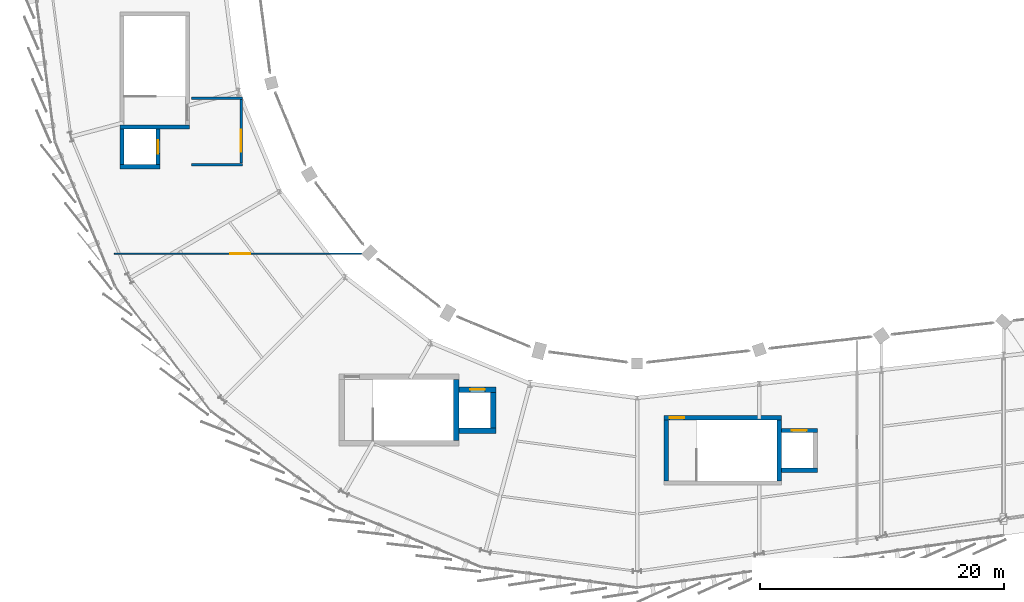
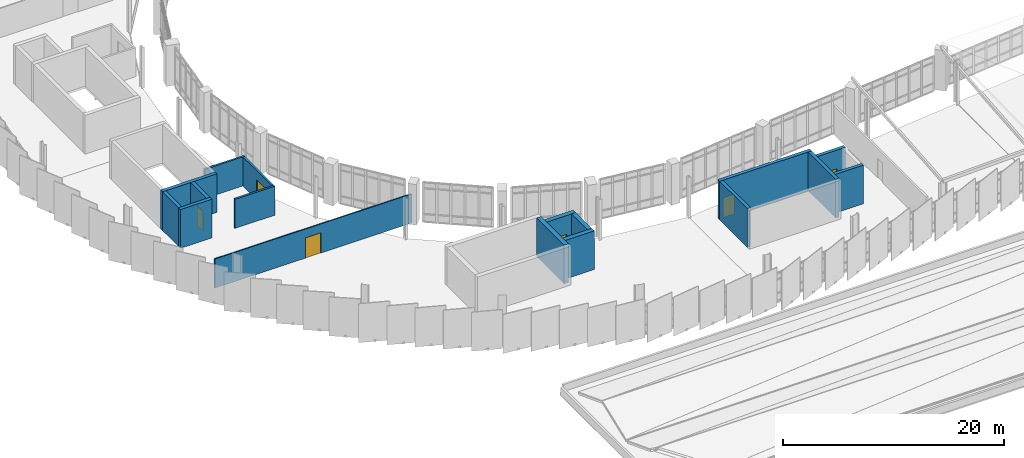
# One storey, part 61 of 67: 17 walls, 6 doors, 6 openings.
"""IFC4 building model written with IfcOpenShell, lengths in metres."""

import ifcopenshell
import ifcopenshell.guid

model = None  # the IFC model being written
_history = None  # IfcOwnerHistory: only IFC2X3 demands one
_inside = {}  # id of a spatial element -> (the spatial element, [elements in it])
_under = {}  # id of a project, library or spatial element -> (it, [spatial elements below it])
_declared = {}  # id of a project -> (the project, [libraries it declares])
_typed = {}  # id of a type object -> (the type object, [elements of that type])
_made_of = {}  # id of a material, layer set ... -> (it, [elements and type objects made of it])


def new_model(schema):
    """Start an empty IFC model of exactly this schema.

    Asked for "IFC4X3", IfcOpenShell would pick the latest addendum, in which some entities
    have other attributes; the version numbers below select the first issue.
    IFC2X3 requires an IfcOwnerHistory on every rooted entity: one is made here for all.
    """
    global model, _history
    if schema == "IFC4X3":
        model = ifcopenshell.file(schema_version=(4, 3, 0, 0))
    else:
        model = ifcopenshell.file(schema=schema)
    _inside.clear()
    _under.clear()
    _declared.clear()
    _typed.clear()
    _made_of.clear()
    _history = None
    if model.schema == "IFC2X3":
        org = make("IfcOrganization", Name="unknown")
        user = make(
            "IfcPersonAndOrganization",
            ThePerson=make("IfcPerson", FamilyName="unknown"),
            TheOrganization=org,
        )
        app = make(
            "IfcApplication",
            ApplicationDeveloper=org,
            Version="unknown",
            ApplicationFullName="unknown",
            ApplicationIdentifier="unknown",
        )
        _history = make(
            "IfcOwnerHistory",
            OwningUser=user,
            OwningApplication=app,
            ChangeAction="ADDED",
            CreationDate=0,
        )
    return model


def make(cls, **values):
    """One entity of the class cls with the attributes given. An attribute that is None is left unset."""
    return model.create_entity(
        cls, **{name: value for name, value in values.items() if value is not None}
    )


def rooted(cls, **values):
    """An entity with a GlobalId (a new one), such as an element, a storey or a relation."""
    return make(cls, GlobalId=ifcopenshell.guid.new(), OwnerHistory=_history, **values)


def si_unit(unit_type, name, prefix=None):
    """IfcSIUnit, for example si_unit("LENGTHUNIT", "METRE", prefix="MILLI")."""
    return make("IfcSIUnit", UnitType=unit_type, Prefix=prefix, Name=name)


def assignment(units):
    """IfcUnitAssignment: the units of a project."""
    return None if units is None else make("IfcUnitAssignment", Units=units)


def point(xyz):
    """IfcCartesianPoint."""
    return None if xyz is None else make("IfcCartesianPoint", Coordinates=xyz)


def direction(xyz):
    """IfcDirection."""
    return None if xyz is None else make("IfcDirection", DirectionRatios=xyz)


def frame(location, z_axis=None, x_axis=None):
    """IfcAxis2Placement3D, a coordinate frame: its origin and axes. An axis left out is left unset."""
    return make(
        "IfcAxis2Placement3D",
        Location=point(location),
        Axis=direction(z_axis),
        RefDirection=direction(x_axis),
    )


def frame_2d(location, x_axis=None):
    """IfcAxis2Placement2D, a coordinate frame in the plane: its origin and x axis."""
    return make(
        "IfcAxis2Placement2D", Location=point(location), RefDirection=direction(x_axis)
    )


def origin():
    """The frame at (0, 0, 0) with its axes left unset."""
    return frame((0.0, 0.0, 0.0))


def place(relative_to, where):
    """IfcLocalPlacement: puts the frame where relative to a parent placement (None: the world)."""
    return make(
        "IfcLocalPlacement", PlacementRelTo=relative_to, RelativePlacement=where
    )


def context(
    kind, dimensions, precision=None, world=None, true_north=None, identifier=None
):
    """IfcGeometricRepresentationContext, for example the 3D "Model" context."""
    return make(
        "IfcGeometricRepresentationContext",
        ContextIdentifier=identifier,
        ContextType=kind,
        CoordinateSpaceDimension=dimensions,
        Precision=precision,
        WorldCoordinateSystem=world,
        TrueNorth=true_north,
    )


def subcontext(parent, identifier, kind, view, scale=None):
    """IfcGeometricRepresentationSubContext, for example "Body" below "Model"."""
    return make(
        "IfcGeometricRepresentationSubContext",
        ContextIdentifier=identifier,
        ContextType=kind,
        ParentContext=parent,
        TargetScale=scale,
        TargetView=view,
    )


def project(units=None, contexts=None):
    """IfcProject with its units and contexts."""
    return rooted(
        "IfcProject",
        Name="project",
        RepresentationContexts=contexts,
        UnitsInContext=assignment(units),
    )


def spatial(cls, under=None, at=None, **own):
    """A site, building, storey or space (cls), placed at a placement, below another one or the project."""
    s = rooted(cls, ObjectPlacement=at, **own)
    if under is not None:
        _under.setdefault(under.id(), (under, []))[1].append(s)
    return s


def profile(cls, at=None, kind="AREA", **sizes):
    """A parametric profile (cls). Its sizes go by their IFC names, for example OverallWidth=200.0."""
    return make(cls, ProfileType=kind, Position=at, **sizes)


def rectangle(**sizes):
    """IfcRectangleProfileDef."""
    return profile("IfcRectangleProfileDef", **sizes)


def extrude(swept, where, along, depth):
    """IfcExtrudedAreaSolid: the profile swept, set in the frame where, extruded along a direction by depth."""
    return make(
        "IfcExtrudedAreaSolid",
        SweptArea=swept,
        Position=where,
        ExtrudedDirection=direction(along),
        Depth=depth,
    )


def shape(context_of_items, identifier, shape_type, items):
    """IfcShapeRepresentation: the items that make up one representation, for example the "Body"."""
    return make(
        "IfcShapeRepresentation",
        ContextOfItems=context_of_items,
        RepresentationIdentifier=identifier,
        RepresentationType=shape_type,
        Items=items,
    )


def material(Name=None, Category=None):
    """IfcMaterial."""
    return make("IfcMaterial", Name=Name, Category=Category)


def layer(
    of_material, thickness, ventilated=None, Name=None, Category=None, Priority=None
):
    """IfcMaterialLayer: one layer of a wall or slab, of a material (None: an air gap)."""
    return make(
        "IfcMaterialLayer",
        Material=of_material,
        LayerThickness=thickness,
        IsVentilated=ventilated,
        Name=Name,
        Category=Category,
        Priority=Priority,
    )


def layer_set(layers, Name=None):
    """IfcMaterialLayerSet."""
    return make("IfcMaterialLayerSet", MaterialLayers=layers, LayerSetName=Name)


def made_of(thing, what):
    """Note that an element or type object is made of a material, layer set ...; save() writes the relation."""
    if what is not None:
        _made_of.setdefault(what.id(), (what, []))[1].append(thing)
    return thing


def type_object(cls, material=None, **own):
    """A type object (cls), such as IfcWallType, which elements share."""
    return made_of(rooted(cls, **own), material)


def element(
    cls,
    number,
    at=None,
    inside=None,
    cuts=None,
    type_object=None,
    material=None,
    context=None,
    identifier="Body",
    shape_type=None,
    held_by="IfcProductDefinitionShape",
    body=None,
    shapes=None,
    **own,
):
    """One element of the class cls, such as IfcWall. Its Tag is "e" and its number.

    at: its placement. inside: the storey or other place that contains it. cuts: it is an
    opening in that element (IfcRelVoidsElement). A single representation is given by context,
    identifier, shape_type and body (its items); several are given by shapes. held_by: the class
    of the entity that holds the representations. save() writes the other relations.
    """
    e = rooted(cls, Tag="e%d" % number, ObjectPlacement=at, **own)
    if body is not None:
        shapes = [shape(context, identifier, shape_type, body)]
    if shapes is not None:
        e.Representation = make(held_by, Representations=shapes)
    if inside is not None:
        _inside.setdefault(inside.id(), (inside, []))[1].append(e)
    if cuts is not None:
        rooted(
            "IfcRelVoidsElement", RelatingBuildingElement=cuts, RelatedOpeningElement=e
        )
    if type_object is not None:
        _typed.setdefault(type_object.id(), (type_object, []))[1].append(e)
    return made_of(e, material)


def fill(opening, filler):
    """IfcRelFillsElement: the door or window that sits in an opening."""
    return rooted(
        "IfcRelFillsElement",
        RelatingOpeningElement=opening,
        RelatedBuildingElement=filler,
    )


def aggregate(whole, parts):
    """IfcRelAggregates: a whole, such as a stair, and the parts it consists of."""
    return rooted("IfcRelAggregates", RelatingObject=whole, RelatedObjects=parts)


def save(model, path):
    """Write the relations noted so far, then the file.

    IfcRelAggregates (storeys below a building ...), IfcRelContainedInSpatialStructure (elements
    in a storey), IfcRelDefinesByType, IfcRelAssociatesMaterial and IfcRelDeclares: one each for
    every whole, place, type object, material and project.
    """
    for whole, parts in _under.values():
        aggregate(whole, parts)
    for where, things in _inside.values():
        rooted(
            "IfcRelContainedInSpatialStructure",
            RelatedElements=things,
            RelatingStructure=where,
        )
    for kind, things in _typed.values():
        rooted("IfcRelDefinesByType", RelatedObjects=things, RelatingType=kind)
    for what, things in _made_of.values():
        rooted("IfcRelAssociatesMaterial", RelatedObjects=things, RelatingMaterial=what)
    for by, libraries in _declared.values():
        rooted("IfcRelDeclares", RelatingContext=by, RelatedDefinitions=libraries)
    model.write(path)


model = new_model("IFC4")

# Units and contexts
model_context = context("Model", 3, precision=1e-05, world=origin(), true_north=direction((0.0, 1.0)))
body_context = subcontext(model_context, "Body", "Model", "MODEL_VIEW")
ifc_project = project(units=[si_unit("LENGTHUNIT", "METRE"), si_unit("AREAUNIT", "SQUARE_METRE"), si_unit("VOLUMEUNIT", "CUBIC_METRE"), si_unit("PLANEANGLEUNIT", "RADIAN"), si_unit("MASSUNIT", "GRAM", prefix="KILO")], contexts=[model_context])

# Site, building, storey
site_placement = place(None, origin())
site = spatial("IfcSite", under=ifc_project, at=site_placement, CompositionType="ELEMENT")
building_placement = place(site_placement, origin())
building = spatial("IfcBuilding", under=site, at=building_placement, Name="Sohan Crest Arena", CompositionType="ELEMENT")
storey_placement = place(building_placement, frame((0.0, 0.0, 22.5)))
storey = spatial("IfcBuildingStorey", under=building, at=storey_placement, Name="L05", CompositionType="ELEMENT", Elevation=22.5)

# Walls
ifc_material_1 = material(Name="Fire-rated masonry blockwork compartment wall", Category="masonry")
ifc_layer_1 = layer(ifc_material_1, 0.199951171875, Name="Fire-rated masonry blockwork compartment wall")
ifc_layer_set_1 = layer_set([ifc_layer_1], Name="Fire-rated masonry blockwork compartment wall")
wall_type_1 = type_object("IfcWallType", Name="WAL-FW01", PredefinedType="PARTITIONING", material=ifc_layer_set_1)
for number, where, z_axis, x_axis, name in (
    (1, (61.489990234375, 63.300048828125, 0.0), (0.0, 0.0, 1.0), (1.0, 0.0, 0.0), "Interior partition wall PW-0068"),
    (2, (61.489990234375, 68.75, 0.0), (0.0, 0.0, 1.0), (1.0, 0.0, 0.0), "Interior partition wall PW-0069"),
):
    element("IfcWall", number, at=place(storey_placement, frame(where, z_axis=z_axis, x_axis=x_axis)), inside=storey, type_object=wall_type_1, Name=name, PredefinedType="PARTITIONING", context=body_context, shape_type="SweptSolid", body=[
        extrude(rectangle(XDim=4.179931640625, YDim=0.199951171875, at=frame_2d((2.08984375, 0.0))), origin(), (0.0, 0.0, 1.0), 3.219970703125),
    ])

# Wall, opening, door
wall_1_placement = place(storey_placement, frame((65.570068359375, 63.419921875, 0.0), z_axis=(0.0, 0.0, 1.0), x_axis=(0.0, 1.0, 0.0)))
wall_1 = element("IfcWall", 3, at=wall_1_placement, inside=storey, type_object=wall_type_1, Name="Interior partition wall PW-0070", PredefinedType="PARTITIONING", context=body_context, shape_type="SweptSolid", body=[
    extrude(rectangle(XDim=5.2099609375, YDim=0.199951171875, at=frame_2d((2.60498046875, 0.0))), origin(), (0.0, 0.0, 1.0), 3.219970703125),
])
opening_1_placement = place(wall_1_placement, frame((0.949951171875, 0.0, 0.0)))
opening_1 = element("IfcOpeningElement", 4, at=opening_1_placement, cuts=wall_1, Name="Opening FFL-0021", PredefinedType="OPENING", context=body_context, shape_type="SweptSolid", body=[
    extrude(rectangle(XDim=1.800048828125, YDim=2.199951171875, at=frame_2d((0.89990234375, 1.10009765625))), frame((0.0, 0.10986328125, 0.0), z_axis=(0.0, -1.0, 0.0), x_axis=(1.0, 0.0, 0.0)), (0.0, 0.0, 1.0), 0.219970703125),
])
ifc_material_2 = material(Name="Fire-rated timber-faced lobby double door", Category="wood")
door_type_1 = type_object("IfcDoorType", Name="DR-FD03", OperationType="DOUBLE_DOOR_SINGLE_SWING", PredefinedType="DOOR", material=ifc_material_2)
door_1_placement = place(opening_1_placement, origin())
door_1 = element("IfcDoor", 5, at=door_1_placement, inside=storey, type_object=door_type_1, Name="Firefighting lift lobby door FL01 FFL-0021", OperationType="DOUBLE_DOOR_SINGLE_SWING", OverallHeight=2.199951171875, OverallWidth=1.800048828125, PredefinedType="DOOR", context=body_context, shape_type="SweptSolid", body=[
    extrude(rectangle(XDim=1.800048828125, YDim=2.199951171875, at=frame_2d((0.89990234375, 1.10009765625))), frame((0.0, 0.02490234375, 0.0), z_axis=(0.0, -1.0, 0.0), x_axis=(1.0, 0.0, 0.0)), (0.0, 0.0, 1.0), 0.050048828125),
])
fill(opening_1, door_1)

ifc_material_3 = material(Name="Acoustic gypsum stud room partition", Category="masonry")
ifc_layer_2 = layer(ifc_material_3, 0.1201171875, Name="Acoustic gypsum stud room partition")
ifc_layer_set_2 = layer_set([ifc_layer_2], Name="Acoustic gypsum stud room partition")
wall_type_2 = type_object("IfcWallType", Name="WAL-PW01", PredefinedType="PARTITIONING", material=ifc_layer_set_2)
wall_2_placement = place(storey_placement, frame((55.199951171875, 56.0, 0.0), z_axis=(0.0, 0.0, 1.0), x_axis=(1.0, 0.0, 0.0)))
wall_2 = element("IfcWall", 6, at=wall_2_placement, inside=storey, type_object=wall_type_2, Name="Interior partition wall PW-0947", PredefinedType="PARTITIONING", context=body_context, shape_type="SweptSolid", body=[
    extrude(rectangle(XDim=20.60009765625, YDim=0.1201171875, at=frame_2d((10.300048828125, 0.0))), origin(), (0.0, 0.0, 1.0), 3.219970703125),
])
opening_2_placement = place(wall_2_placement, frame((9.5, 0.0, 0.0)))
opening_2 = element("IfcOpeningElement", 7, at=opening_2_placement, cuts=wall_2, Name="Opening SKY-0293", PredefinedType="OPENING", context=body_context, shape_type="SweptSolid", body=[
    extrude(rectangle(XDim=1.60009765625, YDim=2.25, at=frame_2d((0.800048828125, 1.125))), frame((0.0, 0.070068359375, 0.0), z_axis=(0.0, -1.0, 0.0), x_axis=(1.0, 0.0, 0.0)), (0.0, 0.0, 1.0), 0.14013671875),
])
ifc_material_4 = material(Name="Solid oak acoustic club lounge double door", Category="wood")
door_type_2 = type_object("IfcDoorType", Name="DR-ID01", OperationType="DOUBLE_DOOR_SINGLE_SWING", PredefinedType="DOOR", material=ifc_material_4)
door_2_placement = place(opening_2_placement, origin())
door_2 = element("IfcDoor", 8, at=door_2_placement, inside=storey, type_object=door_type_2, Name="Sky bar lounge door SKY-0293", OperationType="DOUBLE_DOOR_SINGLE_SWING", OverallHeight=2.25, OverallWidth=1.60009765625, PredefinedType="DOOR", context=body_context, shape_type="SweptSolid", body=[
    extrude(rectangle(XDim=1.60009765625, YDim=2.25, at=frame_2d((0.800048828125, 1.125))), frame((0.0, 0.02490234375, 0.0), z_axis=(0.0, -1.0, 0.0), x_axis=(1.0, 0.0, 0.0)), (0.0, 0.0, 1.0), 0.050048828125),
])
fill(opening_2, door_2)

# Walls
ifc_material_5 = material(Name="Concrete C40/50", Category="concrete")
ifc_layer_3 = layer(ifc_material_5, 0.35009765625, Name="Concrete C40/50")
ifc_layer_set_3 = layer_set([ifc_layer_3], Name="Concrete C40/50")
wall_type_3 = type_object("IfcWallType", Name="WAL-SW02", PredefinedType="SHEAR", material=ifc_layer_set_3)
wall_3_placement = place(storey_placement, frame((55.64990234375, 66.375, 0.0), z_axis=(0.0, 0.0, 1.0), x_axis=(1.0, 0.0, 0.0)))
element("IfcWall", 9, at=wall_3_placement, inside=storey, type_object=wall_type_3, Name="Core shear wall SW-0061", PredefinedType="SHEAR", context=body_context, shape_type="SweptSolid", body=[
    extrude(rectangle(XDim=5.7001953125, YDim=0.35009765625, at=frame_2d((2.85009765625, 0.0))), origin(), (0.0, 0.0, 1.0), 4.280029296875),
])
wall_4_placement = place(storey_placement, frame((55.824951171875, 63.300048828125, 0.0), z_axis=(0.0, 0.0, 1.0), x_axis=(0.0, 1.0, 0.0)))
element("IfcWall", 10, at=wall_4_placement, inside=storey, type_object=wall_type_3, Name="Core shear wall SW-0065", PredefinedType="SHEAR", context=body_context, shape_type="SweptSolid", body=[
    extrude(rectangle(XDim=2.89990234375, YDim=0.35009765625, at=frame_2d((1.449951171875, 0.0))), origin(), (0.0, 0.0, 1.0), 4.280029296875),
])

# Wall, opening, door
wall_5_placement = place(storey_placement, frame((58.77490234375, 63.300048828125, 0.0), z_axis=(0.0, 0.0, 1.0), x_axis=(0.0, 1.0, 0.0)))
wall_5 = element("IfcWall", 11, at=wall_5_placement, inside=storey, type_object=wall_type_3, Name="Core shear wall SW-0066", PredefinedType="SHEAR", context=body_context, shape_type="SweptSolid", body=[
    extrude(rectangle(XDim=2.89990234375, YDim=0.35009765625, at=frame_2d((1.449951171875, 0.0))), origin(), (0.0, 0.0, 1.0), 4.280029296875),
])
opening_3_placement = place(wall_5_placement, frame((0.89990234375, 0.0, 0.0)))
opening_3 = element("IfcOpeningElement", 12, at=opening_3_placement, cuts=wall_5, Name="Opening LD-FL01-L05", PredefinedType="OPENING", context=body_context, shape_type="SweptSolid", body=[
    extrude(rectangle(XDim=1.10009765625, YDim=2.199951171875, at=frame_2d((0.550048828125, 1.10009765625))), frame((0.0, 0.18505859375, 0.0), z_axis=(0.0, -1.0, 0.0), x_axis=(1.0, 0.0, 0.0)), (0.0, 0.0, 1.0), 0.3701171875),
])
ifc_material_6 = material(Name="Stainless steel firefighting lift landing door", Category="steel")
door_type_3 = type_object("IfcDoorType", Name="DR-LD01", OperationType="SLIDING_TO_LEFT", PredefinedType="DOOR", material=ifc_material_6)
door_3_placement = place(opening_3_placement, origin())
door_3 = element("IfcDoor", 13, at=door_3_placement, inside=storey, type_object=door_type_3, Name="Sliding lift landing door LD-FL01-L05", OperationType="SLIDING_TO_LEFT", OverallHeight=2.199951171875, OverallWidth=1.10009765625, PredefinedType="DOOR", context=body_context, shape_type="SweptSolid", body=[
    extrude(rectangle(XDim=1.10009765625, YDim=2.199951171875, at=frame_2d((0.550048828125, 1.10009765625))), frame((0.0, 0.02490234375, 0.0), z_axis=(0.0, -1.0, 0.0), x_axis=(1.0, 0.0, 0.0)), (0.0, 0.0, 1.0), 0.050048828125),
])
fill(opening_3, door_3)

# Walls
wall_6_placement = place(storey_placement, frame((55.64990234375, 63.125, 0.0), z_axis=(0.0, 0.0, 1.0), x_axis=(1.0, 0.0, 0.0)))
element("IfcWall", 14, at=wall_6_placement, inside=storey, type_object=wall_type_3, Name="Core shear wall SW-0067", PredefinedType="SHEAR", context=body_context, shape_type="SweptSolid", body=[
    extrude(rectangle(XDim=3.300048828125, YDim=0.35009765625, at=frame_2d((1.64990234375, 0.0))), origin(), (0.0, 0.0, 1.0), 4.280029296875),
])
for number, where, z_axis, x_axis, name in (
    (15, (100.375, 37.39990234375, 0.0), (0.0, 0.0, 1.0), (0.0, 1.0, 0.0), "Core shear wall SW-0278"),
    (16, (109.625, 37.39990234375, 0.0), (0.0, 0.0, 1.0), (0.0, 1.0, 0.0), "Core shear wall SW-0279"),
):
    element("IfcWall", number, at=place(storey_placement, frame(where, z_axis=z_axis, x_axis=x_axis)), inside=storey, type_object=wall_type_3, Name=name, PredefinedType="SHEAR", context=body_context, shape_type="SweptSolid", body=[
        extrude(rectangle(XDim=5.0, YDim=0.35009765625, at=frame_2d((2.5, 0.0))), origin(), (0.0, 0.0, 1.0), 4.280029296875),
    ])

# Wall, opening, door
wall_7_placement = place(storey_placement, frame((100.199951171875, 42.574951171875, 0.0), z_axis=(0.0, 0.0, 1.0), x_axis=(1.0, 0.0, 0.0)))
wall_7 = element("IfcWall", 17, at=wall_7_placement, inside=storey, type_object=wall_type_3, Name="Core shear wall SW-0281", PredefinedType="SHEAR", context=body_context, shape_type="SweptSolid", body=[
    extrude(rectangle(XDim=9.60009765625, YDim=0.35009765625, at=frame_2d((4.800048828125, 0.0))), origin(), (0.0, 0.0, 1.0), 4.280029296875),
])
opening_4_placement = place(wall_7_placement, frame((0.449951171875, 0.0, 0.0)))
opening_4 = element("IfcOpeningElement", 18, at=opening_4_placement, cuts=wall_7, Name="Opening SD-0081", PredefinedType="OPENING", context=body_context, shape_type="SweptSolid", body=[
    extrude(rectangle(XDim=1.199951171875, YDim=2.199951171875, at=frame_2d((0.60009765625, 1.10009765625))), frame((0.0, 0.18505859375, 0.0), z_axis=(0.0, -1.0, 0.0), x_axis=(1.0, 0.0, 0.0)), (0.0, 0.0, 1.0), 0.3701171875),
])
ifc_material_7 = material(Name="Fire-rated steel stair and lobby door", Category="steel")
door_type_4 = type_object("IfcDoorType", Name="DR-FD04", OperationType="NOTDEFINED", PredefinedType="DOOR", material=ifc_material_7)
door_4_placement = place(opening_4_placement, origin())
door_4 = element("IfcDoor", 19, at=door_4_placement, inside=storey, type_object=door_type_4, Name="Protected stair door SD-0081", OperationType="SINGLE_SWING_RIGHT", OverallHeight=2.199951171875, OverallWidth=1.199951171875, PredefinedType="DOOR", context=body_context, shape_type="SweptSolid", body=[
    extrude(rectangle(XDim=1.199951171875, YDim=2.199951171875, at=frame_2d((0.60009765625, 1.10009765625))), frame((0.0, 0.02490234375, 0.0), z_axis=(0.0, -1.0, 0.0), x_axis=(1.0, 0.0, 0.0)), (0.0, 0.0, 1.0), 0.050048828125),
])
fill(opening_4, door_4)

# Wall
wall_8_placement = place(storey_placement, frame((109.800048828125, 38.27490234375, 0.0), z_axis=(0.0, 0.0, 1.0), x_axis=(1.0, 0.0, 0.0)))
element("IfcWall", 20, at=wall_8_placement, inside=storey, type_object=wall_type_3, Name="Core shear wall SW-0283", PredefinedType="SHEAR", context=body_context, shape_type="SweptSolid", body=[
    extrude(rectangle(XDim=2.949951171875, YDim=0.35009765625, at=frame_2d((1.47509765625, 0.0))), origin(), (0.0, 0.0, 1.0), 4.280029296875),
])

# Wall, opening, door
wall_9_placement = place(storey_placement, frame((109.800048828125, 41.52490234375, 0.0), z_axis=(0.0, 0.0, 1.0), x_axis=(1.0, 0.0, 0.0)))
wall_9 = element("IfcWall", 21, at=wall_9_placement, inside=storey, type_object=wall_type_3, Name="Core shear wall SW-0284", PredefinedType="SHEAR", context=body_context, shape_type="SweptSolid", body=[
    extrude(rectangle(XDim=2.949951171875, YDim=0.35009765625, at=frame_2d((1.47509765625, 0.0))), origin(), (0.0, 0.0, 1.0), 4.280029296875),
])
opening_5_placement = place(wall_9_placement, frame((0.875, 0.0, 0.0)))
opening_5 = element("IfcOpeningElement", 22, at=opening_5_placement, cuts=wall_9, Name="Opening LD-LP03-L05", PredefinedType="OPENING", context=body_context, shape_type="SweptSolid", body=[
    extrude(rectangle(XDim=1.199951171875, YDim=2.199951171875, at=frame_2d((0.60009765625, 1.10009765625))), frame((0.0, 0.18505859375, 0.0), z_axis=(0.0, -1.0, 0.0), x_axis=(1.0, 0.0, 0.0)), (0.0, 0.0, 1.0), 0.3701171875),
])
ifc_material_8 = material(Name="Stainless steel passenger lift landing door", Category="steel")
door_type_5 = type_object("IfcDoorType", Name="DR-LD02", OperationType="SLIDING_TO_LEFT", PredefinedType="DOOR", material=ifc_material_8)
door_5_placement = place(opening_5_placement, origin())
door_5 = element("IfcDoor", 23, at=door_5_placement, inside=storey, type_object=door_type_5, Name="Sliding lift landing door LD-LP03-L05", OperationType="SLIDING_TO_LEFT", OverallHeight=2.199951171875, OverallWidth=1.199951171875, PredefinedType="DOOR", context=body_context, shape_type="SweptSolid", body=[
    extrude(rectangle(XDim=1.199951171875, YDim=2.199951171875, at=frame_2d((0.60009765625, 1.10009765625))), frame((0.0, 0.02490234375, 0.0), z_axis=(0.0, -1.0, 0.0), x_axis=(1.0, 0.0, 0.0)), (0.0, 0.0, 1.0), 0.050048828125),
])
fill(opening_5, door_5)

# Walls
ifc_layer_4 = layer(ifc_material_5, 0.449951171875, Name="Concrete C40/50")
ifc_layer_set_4 = layer_set([ifc_layer_4], Name="Concrete C40/50")
wall_type_4 = type_object("IfcWallType", Name="WAL-SW04", PredefinedType="SHEAR", material=ifc_layer_set_4)
wall_10_placement = place(storey_placement, frame((83.175048828125, 40.699951171875, 0.0), z_axis=(0.0, 0.0, 1.0), x_axis=(0.0, 1.0, 0.0)))
element("IfcWall", 24, at=wall_10_placement, inside=storey, type_object=wall_type_4, Name="Core shear wall SW-0184", PredefinedType="SHEAR", context=body_context, shape_type="SweptSolid", body=[
    extrude(rectangle(XDim=5.0, YDim=0.449951171875, at=frame_2d((2.5, 0.0))), origin(), (0.0, 0.0, 1.0), 4.280029296875),
])
wall_11_placement = place(storey_placement, frame((86.22509765625, 41.75, 0.0), z_axis=(0.0, 0.0, 1.0), x_axis=(0.0, 1.0, 0.0)))
element("IfcWall", 25, at=wall_11_placement, inside=storey, type_object=wall_type_4, Name="Core shear wall SW-0187", PredefinedType="SHEAR", context=body_context, shape_type="SweptSolid", body=[
    extrude(rectangle(XDim=2.89990234375, YDim=0.449951171875, at=frame_2d((1.449951171875, 0.0))), origin(), (0.0, 0.0, 1.0), 4.280029296875),
])
wall_12_placement = place(storey_placement, frame((83.39990234375, 41.52490234375, 0.0), z_axis=(0.0, 0.0, 1.0), x_axis=(1.0, 0.0, 0.0)))
element("IfcWall", 26, at=wall_12_placement, inside=storey, type_object=wall_type_4, Name="Core shear wall SW-0188", PredefinedType="SHEAR", context=body_context, shape_type="SweptSolid", body=[
    extrude(rectangle(XDim=3.050048828125, YDim=0.449951171875, at=frame_2d((1.52490234375, 0.0))), origin(), (0.0, 0.0, 1.0), 4.280029296875),
])

# Wall, opening, door
wall_13_placement = place(storey_placement, frame((83.39990234375, 44.875, 0.0), z_axis=(0.0, 0.0, 1.0), x_axis=(1.0, 0.0, 0.0)))
wall_13 = element("IfcWall", 27, at=wall_13_placement, inside=storey, type_object=wall_type_4, Name="Core shear wall SW-0189", PredefinedType="SHEAR", context=body_context, shape_type="SweptSolid", body=[
    extrude(rectangle(XDim=3.050048828125, YDim=0.449951171875, at=frame_2d((1.52490234375, 0.0))), origin(), (0.0, 0.0, 1.0), 4.280029296875),
])
opening_6_placement = place(wall_13_placement, frame((0.925048828125, 0.0, 0.0)))
opening_6 = element("IfcOpeningElement", 28, at=opening_6_placement, cuts=wall_13, Name="Opening LD-LP01-L05", PredefinedType="OPENING", context=body_context, shape_type="SweptSolid", body=[
    extrude(rectangle(XDim=1.199951171875, YDim=2.199951171875, at=frame_2d((0.60009765625, 1.10009765625))), frame((0.0, 0.23486328125, 0.0), z_axis=(0.0, -1.0, 0.0), x_axis=(1.0, 0.0, 0.0)), (0.0, 0.0, 1.0), 0.469970703125),
])
door_6_placement = place(opening_6_placement, origin())
door_6 = element("IfcDoor", 29, at=door_6_placement, inside=storey, type_object=door_type_5, Name="Sliding lift landing door LD-LP01-L05", OperationType="SLIDING_TO_LEFT", OverallHeight=2.199951171875, OverallWidth=1.199951171875, PredefinedType="DOOR", context=body_context, shape_type="SweptSolid", body=[
    extrude(rectangle(XDim=1.199951171875, YDim=2.199951171875, at=frame_2d((0.60009765625, 1.10009765625))), frame((0.0, 0.02490234375, 0.0), z_axis=(0.0, -1.0, 0.0), x_axis=(1.0, 0.0, 0.0)), (0.0, 0.0, 1.0), 0.050048828125),
])
fill(opening_6, door_6)

save(model, "model.ifc")
